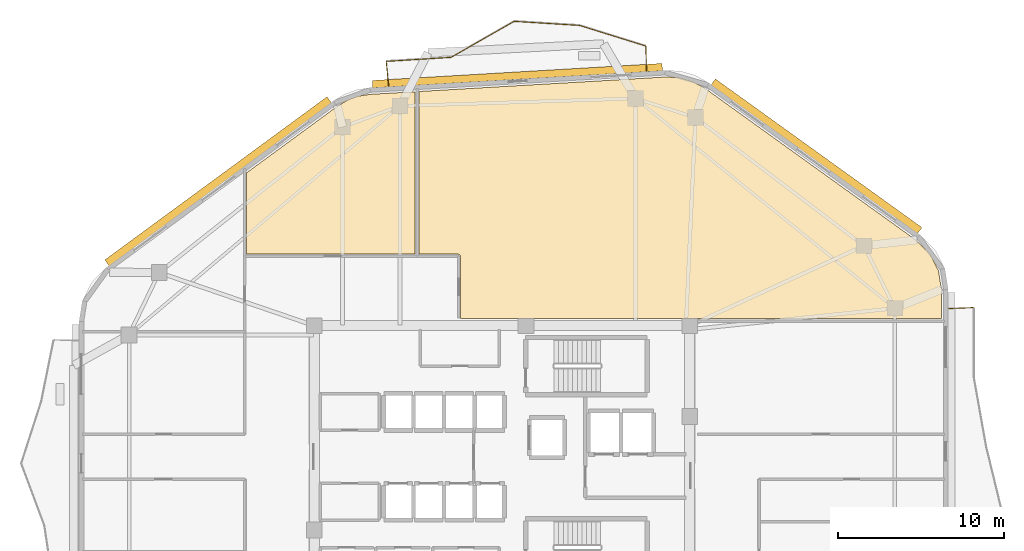
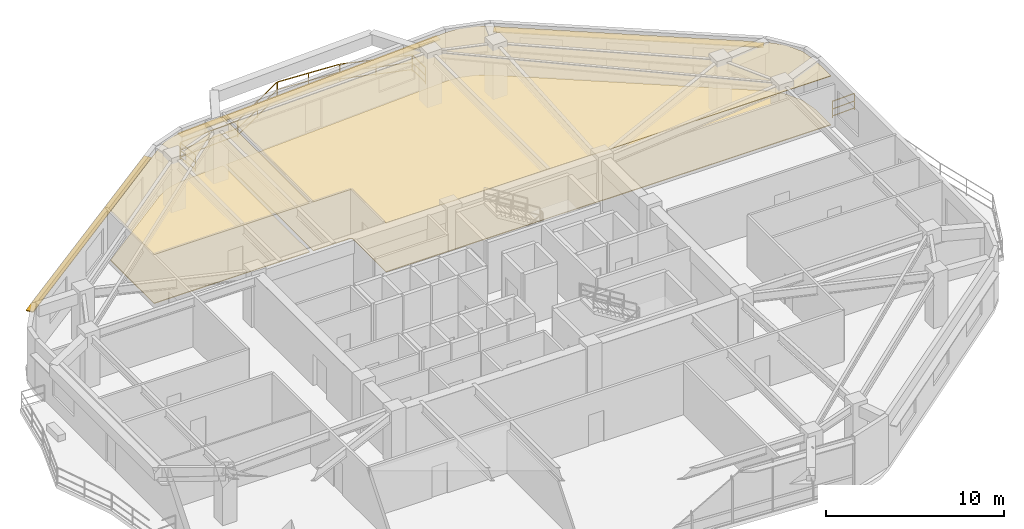
# One storey, part 14 of 14: 7 railings, 4 coverings, 3 shading devices.
"""IFC4 building model written with IfcOpenShell, lengths in metres."""

from ifc_helpers import new_model, si_unit, direction, frame, origin, origin_2d, place, context, subcontext, project, spatial, polyline, rectangle, outline, extrude, material, layer, layer_set, type_object, element, save


model = new_model("IFC4")

# Units and contexts
model_context = context("Model", 3, precision=1e-05, world=origin(), true_north=direction((0.0, 1.0)))
body_context = subcontext(model_context, "Body", "Model", "MODEL_VIEW")
ifc_project = project(units=[si_unit("LENGTHUNIT", "METRE"), si_unit("AREAUNIT", "SQUARE_METRE"), si_unit("VOLUMEUNIT", "CUBIC_METRE"), si_unit("PLANEANGLEUNIT", "RADIAN"), si_unit("MASSUNIT", "GRAM", prefix="KILO")], contexts=[model_context])

# Site, building, storey
site_placement = place(None, origin())
site = spatial("IfcSite", under=ifc_project, at=site_placement, CompositionType="ELEMENT")
building_placement = place(site_placement, origin())
building = spatial("IfcBuilding", under=site, at=building_placement, Name="Zulverin Broadcast Headquarters", CompositionType="ELEMENT")
storey_placement = place(building_placement, frame((0.0, 0.0, 208.60009765625)))
storey = spatial("IfcBuildingStorey", under=building, at=storey_placement, Name="L53", CompositionType="ELEMENT", Elevation=208.60009765625)

# Coverings
ifc_material_1 = material(Name="Perforated pale-metal acoustic baffle ceiling", Category="aluminium")
ifc_layer_1 = layer(ifc_material_1, 0.0400390625, Name="Perforated pale-metal acoustic baffle ceiling", Category="aluminium")
ifc_layer_set_1 = layer_set([ifc_layer_1], Name="Perforated pale-metal acoustic baffle ceiling")
covering_type_1 = type_object("IfcCoveringType", Name="COV-CEIL-ACOU", PredefinedType="CEILING", material=ifc_layer_set_1)
covering_1_placement = place(storey_placement, frame((0.0, 0.0, 3.35986328125)))
element("IfcCovering", 1, at=covering_1_placement, inside=storey, type_object=covering_type_1, Name="L53 Acoustic Baffle Ceiling 01", PredefinedType="CEILING", context=body_context, shape_type="SweptSolid", body=[
    extrude(outline(polyline([(31.780029296875, 37.3720703125), (31.780029296875, 47.1279296875), (29.075927734375, 46.971923828125), (28.3759765625, 46.864013671875), (27.73193359375, 46.632080078125), (27.1279296875, 46.26806640625), (21.66796875, 42.263916015625), (21.66796875, 37.3720703125), (31.780029296875, 37.3720703125)])), origin(), (0.0, 0.0, 1.0), 0.0400390625),
])
covering_2_placement = place(storey_placement, frame((0.0, 0.0, 3.35986328125)))
element("IfcCovering", 2, at=covering_2_placement, inside=storey, type_object=covering_type_1, Name="L53 Acoustic Baffle Ceiling 02", PredefinedType="CEILING", context=body_context, shape_type="SweptSolid", body=[
    extrude(outline(polyline([(47.679931640625, 47.968017578125), (46.840087890625, 48.01611328125), (43.407958984375, 47.81201171875), (32.02001953125, 47.14404296875), (32.02001953125, 37.3720703125), (34.360107421875, 37.3720703125), (34.3720703125, 37.3720703125), (34.384033203125, 37.367919921875), (34.39208984375, 37.367919921875), (34.39990234375, 37.364013671875), (34.407958984375, 37.364013671875), (34.419921875, 37.360107421875), (34.427978515625, 37.35595703125), (34.43603515625, 37.35205078125), (34.447998046875, 37.343994140625), (34.4599609375, 37.3359375), (34.468017578125, 37.327880859375), (34.47607421875, 37.320068359375), (34.48388671875, 37.31201171875), (34.491943359375, 37.300048828125), (34.5, 37.2880859375), (34.50390625, 37.280029296875), (34.508056640625, 37.27197265625), (34.511962890625, 37.263916015625), (34.51611328125, 37.251953125), (34.51611328125, 37.243896484375), (34.52001953125, 37.23193359375), (34.52001953125, 37.219970703125), (34.52001953125, 33.52001953125), (48.568115234375, 33.52001953125), (48.580078125, 33.52001953125), (48.592041015625, 33.51611328125), (48.60009765625, 33.51611328125), (48.612060546875, 33.511962890625), (48.6201171875, 33.508056640625), (48.635986328125, 33.5), (63.39990234375, 33.5), (63.39990234375, 35.236083984375), (63.216064453125, 36.384033203125), (62.699951171875, 37.387939453125), (61.8798828125, 38.2080078125), (49.196044921875, 47.33203125), (48.4599609375, 47.739990234375), (47.679931640625, 47.968017578125)])), origin(), (0.0, 0.0, 1.0), 0.0400390625),
])
ifc_material_2 = material(Name="Anti-static broadcast raised access flooring", Category="stone")
ifc_layer_2 = layer(ifc_material_2, 0.050048828125, Name="Anti-static broadcast raised access flooring", Category="stone")
ifc_layer_set_2 = layer_set([ifc_layer_2], Name="Anti-static broadcast raised access flooring")
covering_type_2 = type_object("IfcCoveringType", Name="COV-FLR-RAISED", PredefinedType="FLOORING", material=ifc_layer_set_2)
covering_3_placement = place(storey_placement, origin())
element("IfcCovering", 3, at=covering_3_placement, inside=storey, type_object=covering_type_2, Name="L53 Broadcast Raised Access Flooring 01", PredefinedType="FLOORING", context=body_context, shape_type="SweptSolid", body=[
    extrude(outline(polyline([(31.780029296875, 37.3720703125), (31.780029296875, 47.1279296875), (29.075927734375, 46.971923828125), (28.3759765625, 46.864013671875), (27.73193359375, 46.632080078125), (27.1279296875, 46.26806640625), (21.66796875, 42.263916015625), (21.66796875, 37.3720703125), (31.780029296875, 37.3720703125)])), origin(), (0.0, 0.0, 1.0), 0.0498046875),
])
covering_4_placement = place(storey_placement, origin())
element("IfcCovering", 4, at=covering_4_placement, inside=storey, type_object=covering_type_2, Name="L53 Broadcast Raised Access Flooring 02", PredefinedType="FLOORING", context=body_context, shape_type="SweptSolid", body=[
    extrude(outline(polyline([(47.679931640625, 47.968017578125), (46.840087890625, 48.01611328125), (43.407958984375, 47.81201171875), (32.02001953125, 47.14404296875), (32.02001953125, 37.3720703125), (34.360107421875, 37.3720703125), (34.3720703125, 37.3720703125), (34.384033203125, 37.367919921875), (34.39208984375, 37.367919921875), (34.39990234375, 37.364013671875), (34.407958984375, 37.364013671875), (34.419921875, 37.360107421875), (34.427978515625, 37.35595703125), (34.43603515625, 37.35205078125), (34.447998046875, 37.343994140625), (34.4599609375, 37.3359375), (34.468017578125, 37.327880859375), (34.47607421875, 37.320068359375), (34.48388671875, 37.31201171875), (34.491943359375, 37.300048828125), (34.5, 37.2880859375), (34.50390625, 37.280029296875), (34.508056640625, 37.27197265625), (34.511962890625, 37.263916015625), (34.51611328125, 37.251953125), (34.51611328125, 37.243896484375), (34.52001953125, 37.23193359375), (34.52001953125, 37.219970703125), (34.52001953125, 33.52001953125), (48.568115234375, 33.52001953125), (48.580078125, 33.52001953125), (48.592041015625, 33.51611328125), (48.60009765625, 33.51611328125), (48.612060546875, 33.511962890625), (48.6201171875, 33.508056640625), (48.635986328125, 33.5), (63.39990234375, 33.5), (63.39990234375, 35.236083984375), (63.216064453125, 36.384033203125), (62.699951171875, 37.387939453125), (61.8798828125, 38.2080078125), (49.196044921875, 47.33203125), (48.4599609375, 47.739990234375), (47.679931640625, 47.968017578125)])), origin(), (0.0, 0.0, 1.0), 0.0498046875),
])

# Railings
ifc_material_3 = material(Name="Brushed stainless steel & laminated glass balustrade", Category="steel")
railing_type = type_object("IfcRailingType", Name="RL-GUARD-1150", PredefinedType="GUARDRAIL", material=ifc_material_3)
railing_1_placement = place(storey_placement, frame((65.304931640625, 34.16552734375, 0.0)))
element("IfcRailing", 5, at=railing_1_placement, inside=storey, type_object=railing_type, Name="L53 Vertical-Forest Balcony Guardrail BAL_E Segment 06", PredefinedType="GUARDRAIL", context=body_context, shape_type="SweptSolid", body=[
    extrude(rectangle(XDim=0.048095703125, YDim=0.048095703125, at=origin_2d()), frame((0.0, 0.0, 1.1259765625), z_axis=(-0.99918088253, -0.040466825742, 0.0), x_axis=(0.040466825742, -0.99918088253, 0.0)), (0.0, 0.0, 1.0), 1.466064453125),
    extrude(rectangle(XDim=0.0419921875, YDim=0.0419921875, at=origin_2d()), frame((0.0, 0.0, 0.597900390625), z_axis=(-0.99918088253, -0.040466825742, 0.0), x_axis=(0.040466825742, -0.99918088253, 0.0)), (0.0, 0.0, 1.0), 1.466064453125),
    extrude(rectangle(XDim=0.0419921875, YDim=0.0419921875, at=origin_2d()), frame((0.0, 0.0, 0.1201171875), z_axis=(-0.99918088253, -0.040466825742, 0.0), x_axis=(0.040466825742, -0.99918088253, 0.0)), (0.0, 0.0, 1.0), 1.466064453125),
    extrude(rectangle(XDim=0.0419921875, YDim=0.0419921875, at=origin_2d()), origin(), (0.0, 0.0, 1.0), 1.101806640625),
    extrude(rectangle(XDim=0.0419921875, YDim=0.0419921875, at=origin_2d()), frame((-1.46484375, -0.059326171875, 0.0)), (0.0, 0.0, 1.0), 1.101806640625),
])
railing_2_placement = place(storey_placement, frame((45.677734375, 48.388427734375, 0.0)))
element("IfcRailing", 6, at=railing_2_placement, inside=storey, type_object=railing_type, Name="L53 Vertical-Forest Balcony Guardrail BAL_N Segment 01", PredefinedType="GUARDRAIL", context=body_context, shape_type="SweptSolid", body=[
    extrude(rectangle(XDim=0.048095703125, YDim=0.048095703125, at=origin_2d()), frame((0.0, 0.0, 1.1259765625), z_axis=(-0.018318045163, 0.999832210534, 0.0), x_axis=(-0.999832210534, -0.018318045163, 0.0)), (0.0, 0.0, 1.0), 1.466064453125),
    extrude(rectangle(XDim=0.0419921875, YDim=0.0419921875, at=origin_2d()), frame((0.0, 0.0, 0.597900390625), z_axis=(-0.018318045163, 0.999832210534, 0.0), x_axis=(-0.999832210534, -0.018318045163, 0.0)), (0.0, 0.0, 1.0), 1.466064453125),
    extrude(rectangle(XDim=0.0419921875, YDim=0.0419921875, at=origin_2d()), frame((0.0, 0.0, 0.1201171875), z_axis=(-0.018318045163, 0.999832210534, 0.0), x_axis=(-0.999832210534, -0.018318045163, 0.0)), (0.0, 0.0, 1.0), 1.466064453125),
    extrude(rectangle(XDim=0.0419921875, YDim=0.0419921875, at=origin_2d()), origin(), (0.0, 0.0, 1.0), 1.101806640625),
    extrude(rectangle(XDim=0.0419921875, YDim=0.0419921875, at=origin_2d()), frame((-0.02685546875, 1.4658203125, 0.0)), (0.0, 0.0, 1.0), 1.101806640625),
])
railing_3_placement = place(storey_placement, frame((45.63623046875, 49.873779296875, 0.0)))
element("IfcRailing", 7, at=railing_3_placement, inside=storey, type_object=railing_type, Name="L53 Vertical-Forest Balcony Guardrail BAL_N Segment 02", PredefinedType="GUARDRAIL", context=body_context, shape_type="SweptSolid", body=[
    extrude(rectangle(XDim=0.048095703125, YDim=0.048095703125, at=origin_2d()), frame((0.0, 0.0, 1.1259765625), z_axis=(-0.954699682925, 0.297571025847, 0.0), x_axis=(-0.297571025847, -0.954699682925, 0.0)), (0.0, 0.0, 1.0), 4.1474609375),
    extrude(rectangle(XDim=0.0419921875, YDim=0.0419921875, at=origin_2d()), frame((0.0, 0.0, 0.597900390625), z_axis=(-0.954699682925, 0.297571025847, 0.0), x_axis=(-0.297571025847, -0.954699682925, 0.0)), (0.0, 0.0, 1.0), 4.1474609375),
    extrude(rectangle(XDim=0.0419921875, YDim=0.0419921875, at=origin_2d()), frame((0.0, 0.0, 0.1201171875), z_axis=(-0.954699682925, 0.297571025847, 0.0), x_axis=(-0.297571025847, -0.954699682925, 0.0)), (0.0, 0.0, 1.0), 4.1474609375),
    extrude(rectangle(XDim=0.0419921875, YDim=0.0419921875, at=origin_2d()), origin(), (0.0, 0.0, 1.0), 1.101806640625),
    extrude(rectangle(XDim=0.0419921875, YDim=0.0419921875, at=origin_2d()), frame((-1.979736328125, 0.6171875, 0.0)), (0.0, 0.0, 1.0), 1.101806640625),
    extrude(rectangle(XDim=0.0419921875, YDim=0.0419921875, at=origin_2d()), frame((-3.95947265625, 1.234130859375, 0.0)), (0.0, 0.0, 1.0), 1.101806640625),
])
railing_4_placement = place(storey_placement, frame((41.6474609375, 51.11328125, 0.0)))
element("IfcRailing", 8, at=railing_4_placement, inside=storey, type_object=railing_type, Name="L53 Vertical-Forest Balcony Guardrail BAL_N Segment 03", PredefinedType="GUARDRAIL", context=body_context, shape_type="SweptSolid", body=[
    extrude(rectangle(XDim=0.048095703125, YDim=0.048095703125, at=origin_2d()), frame((0.0, 0.0, 1.1259765625), z_axis=(-0.998065201554, 0.0621759877, 0.0), x_axis=(-0.0621759877, -0.998065201554, 0.0)), (0.0, 0.0, 1.0), 3.906982421875),
    extrude(rectangle(XDim=0.0419921875, YDim=0.0419921875, at=origin_2d()), frame((0.0, 0.0, 0.597900390625), z_axis=(-0.998065201554, 0.0621759877, 0.0), x_axis=(-0.0621759877, -0.998065201554, 0.0)), (0.0, 0.0, 1.0), 3.906982421875),
    extrude(rectangle(XDim=0.0419921875, YDim=0.0419921875, at=origin_2d()), frame((0.0, 0.0, 0.1201171875), z_axis=(-0.998065201554, 0.0621759877, 0.0), x_axis=(-0.0621759877, -0.998065201554, 0.0)), (0.0, 0.0, 1.0), 3.906982421875),
    extrude(rectangle(XDim=0.0419921875, YDim=0.0419921875, at=origin_2d()), origin(), (0.0, 0.0, 1.0), 1.101806640625),
    extrude(rectangle(XDim=0.0419921875, YDim=0.0419921875, at=origin_2d()), frame((-1.94970703125, 0.12158203125, 0.0)), (0.0, 0.0, 1.0), 1.101806640625),
    extrude(rectangle(XDim=0.0419921875, YDim=0.0419921875, at=origin_2d()), frame((-3.8994140625, 0.242919921875, 0.0)), (0.0, 0.0, 1.0), 1.101806640625),
])
railing_5_placement = place(storey_placement, frame((37.72021484375, 51.349609375, 0.0)))
element("IfcRailing", 9, at=railing_5_placement, inside=storey, type_object=railing_type, Name="L53 Vertical-Forest Balcony Guardrail BAL_N Segment 04", PredefinedType="GUARDRAIL", context=body_context, shape_type="SweptSolid", body=[
    extrude(rectangle(XDim=0.048095703125, YDim=0.048095703125, at=origin_2d()), frame((0.0, 0.0, 1.1259765625), z_axis=(-0.868392230001, -0.495877943525, 0.0), x_axis=(0.495877943525, -0.868392230001, 0.0)), (0.0, 0.0, 1.0), 4.33203125),
    extrude(rectangle(XDim=0.0419921875, YDim=0.0419921875, at=origin_2d()), frame((0.0, 0.0, 0.597900390625), z_axis=(-0.868392230001, -0.495877943525, 0.0), x_axis=(0.495877943525, -0.868392230001, 0.0)), (0.0, 0.0, 1.0), 4.33203125),
    extrude(rectangle(XDim=0.0419921875, YDim=0.0419921875, at=origin_2d()), frame((0.0, 0.0, 0.1201171875), z_axis=(-0.868392230001, -0.495877943525, 0.0), x_axis=(0.495877943525, -0.868392230001, 0.0)), (0.0, 0.0, 1.0), 4.33203125),
    extrude(rectangle(XDim=0.0419921875, YDim=0.0419921875, at=origin_2d()), origin(), (0.0, 0.0, 1.0), 1.101806640625),
    extrude(rectangle(XDim=0.0419921875, YDim=0.0419921875, at=origin_2d()), frame((-1.880859375, -1.07421875, 0.0)), (0.0, 0.0, 1.0), 1.101806640625),
    extrude(rectangle(XDim=0.0419921875, YDim=0.0419921875, at=origin_2d()), frame((-3.761962890625, -2.148193359375, 0.0)), (0.0, 0.0, 1.0), 1.101806640625),
])
railing_6_placement = place(storey_placement, frame((33.930419921875, 49.193115234375, 0.0)))
element("IfcRailing", 10, at=railing_6_placement, inside=storey, type_object=railing_type, Name="L53 Vertical-Forest Balcony Guardrail BAL_N Segment 05", PredefinedType="GUARDRAIL", context=body_context, shape_type="SweptSolid", body=[
    extrude(rectangle(XDim=0.048095703125, YDim=0.048095703125, at=origin_2d()), frame((0.0, 0.0, 1.1259765625), z_axis=(-0.998067979201, -0.062131384136, 0.0), x_axis=(0.062131384136, -0.998067979201, 0.0)), (0.0, 0.0, 1.0), 3.87841796875),
    extrude(rectangle(XDim=0.0419921875, YDim=0.0419921875, at=origin_2d()), frame((0.0, 0.0, 0.597900390625), z_axis=(-0.998067979201, -0.062131384136, 0.0), x_axis=(0.062131384136, -0.998067979201, 0.0)), (0.0, 0.0, 1.0), 3.87841796875),
    extrude(rectangle(XDim=0.0419921875, YDim=0.0419921875, at=origin_2d()), frame((0.0, 0.0, 0.1201171875), z_axis=(-0.998067979201, -0.062131384136, 0.0), x_axis=(0.062131384136, -0.998067979201, 0.0)), (0.0, 0.0, 1.0), 3.87841796875),
    extrude(rectangle(XDim=0.0419921875, YDim=0.0419921875, at=origin_2d()), origin(), (0.0, 0.0, 1.0), 1.101806640625),
    extrude(rectangle(XDim=0.0419921875, YDim=0.0419921875, at=origin_2d()), frame((-1.935546875, -0.12060546875, 0.0)), (0.0, 0.0, 1.0), 1.101806640625),
    extrude(rectangle(XDim=0.0419921875, YDim=0.0419921875, at=origin_2d()), frame((-3.870849609375, -0.240966796875, 0.0)), (0.0, 0.0, 1.0), 1.101806640625),
])
railing_7_placement = place(storey_placement, frame((30.0458984375, 48.936279296875, 0.0)))
element("IfcRailing", 11, at=railing_7_placement, inside=storey, type_object=railing_type, Name="L53 Vertical-Forest Balcony Guardrail BAL_N Segment 06", PredefinedType="GUARDRAIL", context=body_context, shape_type="SweptSolid", body=[
    extrude(rectangle(XDim=0.048095703125, YDim=0.048095703125, at=origin_2d()), frame((0.0, 0.0, 1.1259765625), z_axis=(0.099256382944, -0.995061892771, 0.0), x_axis=(0.995061892771, 0.099256382944, 0.0)), (0.0, 0.0, 1.0), 1.466064453125),
    extrude(rectangle(XDim=0.0419921875, YDim=0.0419921875, at=origin_2d()), frame((0.0, 0.0, 0.597900390625), z_axis=(0.099256382944, -0.995061892771, 0.0), x_axis=(0.995061892771, 0.099256382944, 0.0)), (0.0, 0.0, 1.0), 1.466064453125),
    extrude(rectangle(XDim=0.0419921875, YDim=0.0419921875, at=origin_2d()), frame((0.0, 0.0, 0.1201171875), z_axis=(0.099256382944, -0.995061892771, 0.0), x_axis=(0.995061892771, 0.099256382944, 0.0)), (0.0, 0.0, 1.0), 1.466064453125),
    extrude(rectangle(XDim=0.0419921875, YDim=0.0419921875, at=origin_2d()), origin(), (0.0, 0.0, 1.0), 1.101806640625),
    extrude(rectangle(XDim=0.0419921875, YDim=0.0419921875, at=origin_2d()), frame((0.1455078125, -1.458740234375, 0.0)), (0.0, 0.0, 1.0), 1.101806640625),
])

# Shading devices
ifc_material_4 = material(Name="Anodized pale-metal aluminium sunshade", Category="aluminium")
ifc_layer_3 = layer(ifc_material_4, 0.06005859375, Name="Anodized pale-metal aluminium sunshade", Category="aluminium")
ifc_layer_set_3 = layer_set([ifc_layer_3], Name="Anodized pale-metal aluminium sunshade")
shading_device_type = type_object("IfcShadingDeviceType", Name="SS-01_PALE_METAL_ALUMINIUM_SUNSHADE", PredefinedType="USERDEFINED", material=ifc_layer_set_3)
shading_device_1_placement = place(storey_placement, frame((55.889404296875, 43.254150390625, 2.7099609375), z_axis=(0.0, 0.0, 1.0), x_axis=(-0.811723852333, 0.58404142623, 0.0)))
element("IfcShadingDevice", 12, at=shading_device_1_placement, inside=storey, type_object=shading_device_type, Name="L53 Horizontal Pale-Metal Sunshade Band 4", ObjectType="SUNSHADE", PredefinedType="USERDEFINED", context=body_context, shape_type="SweptSolid", body=[
    extrude(rectangle(XDim=15.279296875, YDim=0.449951171875, at=origin_2d()), origin(), (0.0, 0.0, 1.0), 0.06005859375),
])
shading_device_2_placement = place(storey_placement, frame((37.925048828125, 48.0927734375, 2.7099609375), z_axis=(0.0, 0.0, 1.0), x_axis=(-0.998274332859, -0.058722707319, 0.0)))
element("IfcShadingDevice", 13, at=shading_device_2_placement, inside=storey, type_object=shading_device_type, Name="L53 Horizontal Pale-Metal Sunshade Band 5", ObjectType="SUNSHADE", PredefinedType="USERDEFINED", context=body_context, shape_type="SweptSolid", body=[
    extrude(rectangle(XDim=17.43310546875, YDim=0.449951171875, at=origin_2d()), origin(), (0.0, 0.0, 1.0), 0.06005859375),
])
shading_device_3_placement = place(storey_placement, frame((19.94970703125, 41.743896484375, 2.7099609375), z_axis=(0.0, 0.0, 1.0), x_axis=(-0.806096670674, -0.591783877382, 0.0)))
element("IfcShadingDevice", 14, at=shading_device_3_placement, inside=storey, type_object=shading_device_type, Name="L53 Horizontal Pale-Metal Sunshade Band 6", ObjectType="SUNSHADE", PredefinedType="USERDEFINED", context=body_context, shape_type="SweptSolid", body=[
    extrude(rectangle(XDim=16.558837890625, YDim=0.449951171875, at=origin_2d()), origin(), (0.0, 0.0, 1.0), 0.06005859375),
])

save(model, "model.ifc")
